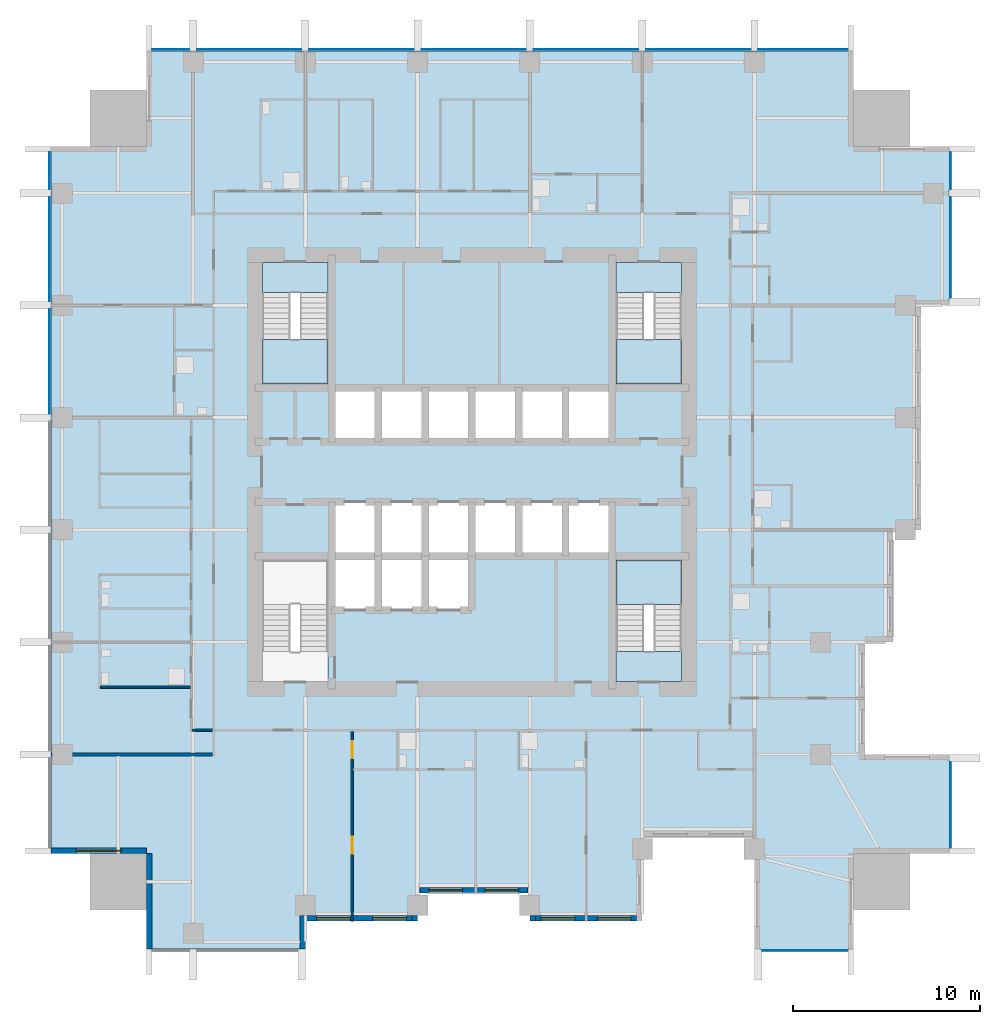
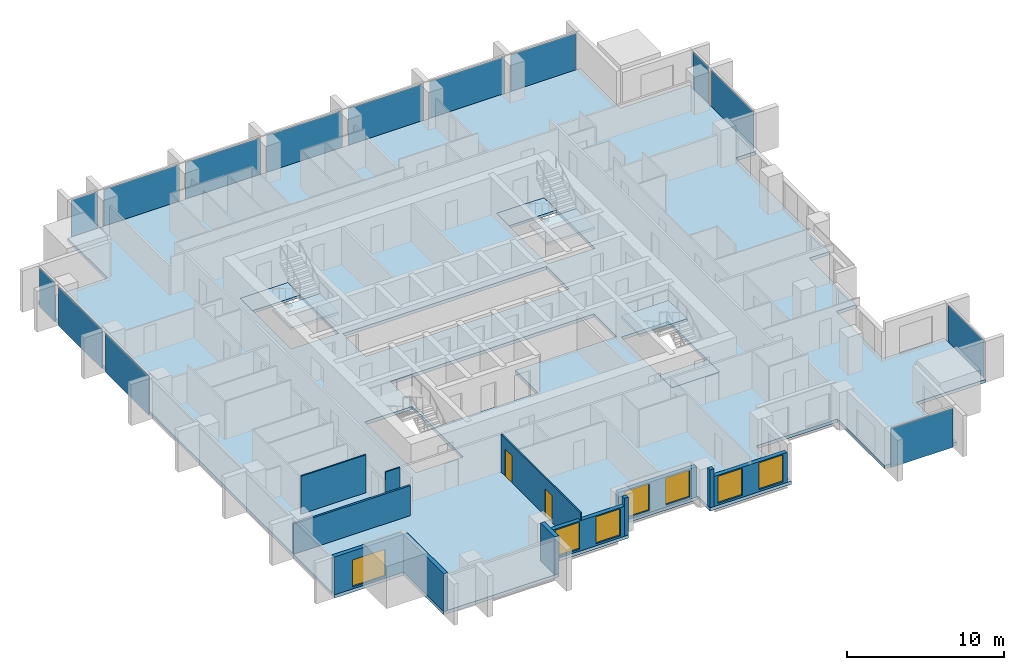
# One storey, part 3 of 10: 14 plates, 12 walls, 7 slabs, 7 windows, 2 doors, 9 openings, 8 elements without a shape of their own.
"""IFC4 building model written with IfcOpenShell, lengths in metres."""

from ifc_helpers import new_model, si_unit, direction, frame, frame_2d, origin, origin_2d, place, context, subcontext, project, spatial, polyline, rectangle, outline, extrude, material, layer, layer_set, type_object, element, fill, aggregate, save


model = new_model("IFC4")

# Units and contexts
model_context = context("Model", 3, precision=1e-05, world=origin(), true_north=direction((0.0, 1.0)))
body_context = subcontext(model_context, "Body", "Model", "MODEL_VIEW")
ifc_project = project(units=[si_unit("LENGTHUNIT", "METRE"), si_unit("AREAUNIT", "SQUARE_METRE"), si_unit("VOLUMEUNIT", "CUBIC_METRE"), si_unit("PLANEANGLEUNIT", "RADIAN"), si_unit("MASSUNIT", "GRAM", prefix="KILO")], contexts=[model_context])

# Site, building, storey
site_placement = place(None, origin())
site = spatial("IfcSite", under=ifc_project, at=site_placement, CompositionType="ELEMENT")
building_placement = place(site_placement, origin())
building = spatial("IfcBuilding", under=site, at=building_placement, Name="Amberfall Residences", CompositionType="ELEMENT")
storey_placement = place(building_placement, frame((0.0, 0.0, 121.60009765625)))
storey = spatial("IfcBuildingStorey", under=building, at=storey_placement, Name="L33", CompositionType="ELEMENT", Elevation=121.60009765625)

# Curtain wall, plate
ifc_material_1 = material(Name="Bronze anodised aluminium and glass", Category="aluminium")
curtain_wall_type = type_object("IfcCurtainWallType", Name="Curtain wall CW1 tower unit", PredefinedType="USERDEFINED", material=ifc_material_1)
curtain_wall_1_placement = place(storey_placement, origin())
curtain_wall_1 = element("IfcCurtainWall", 1, at=curtain_wall_1_placement, inside=storey, type_object=curtain_wall_type, Name="Curtain wall L33 S S11", ObjectType="UNITISED CURTAIN WALL", PredefinedType="USERDEFINED")
ifc_material_2 = material(Name="Tinted double glazed unit", Category="glass")
ifc_layer_1 = layer(ifc_material_2, 0.035888671875)
ifc_layer_set_1 = layer_set([ifc_layer_1], Name="CW1 panel 36 glazing")
plate_type = type_object("IfcPlateType", Name="CW1 panel 36 glazing", PredefinedType="CURTAIN_PANEL", material=ifc_layer_set_1)
plate_1_placement = place(storey_placement, frame((92.300048828125, 19.925048828125, -0.25), z_axis=(0.0, 0.0, 1.0), x_axis=(1.0, 0.0, 0.0)))
plate_1 = element("IfcPlate", 2, at=plate_1_placement, type_object=plate_type, Name="CW1 panel 1.1", PredefinedType="CURTAIN_PANEL", context=body_context, shape_type="SweptSolid", body=[
    extrude(rectangle(XDim=4.575927734375, YDim=0.035888671875, at=origin_2d()), origin(), (0.0, 0.0, 1.0), 3.050048828125),
])
aggregate(curtain_wall_1, [plate_1])

curtain_wall_2_placement = place(storey_placement, origin())
curtain_wall_2 = element("IfcCurtainWall", 3, at=curtain_wall_2_placement, inside=storey, type_object=curtain_wall_type, Name="Curtain wall L33 E E1", ObjectType="UNITISED CURTAIN WALL", PredefinedType="USERDEFINED")
plate_2_placement = place(storey_placement, frame((100.074951171875, 27.699951171875, -0.25), z_axis=(0.0, 0.0, 1.0), x_axis=(0.0, 1.0, 0.0)))
plate_2 = element("IfcPlate", 4, at=plate_2_placement, type_object=plate_type, Name="CW1 panel 1.1", PredefinedType="CURTAIN_PANEL", context=body_context, shape_type="SweptSolid", body=[
    extrude(rectangle(XDim=4.575927734375, YDim=0.035888671875, at=origin_2d()), origin(), (0.0, 0.0, 1.0), 3.050048828125),
])
aggregate(curtain_wall_2, [plate_2])

# Curtain wall, plates
curtain_wall_3_placement = place(storey_placement, origin())
curtain_wall_3 = element("IfcCurtainWall", 5, at=curtain_wall_3_placement, inside=storey, type_object=curtain_wall_type, Name="Curtain wall L33 E E10", ObjectType="UNITISED CURTAIN WALL", PredefinedType="USERDEFINED")
plate_3_placement = place(storey_placement, frame((100.074951171875, 57.5, -0.25), z_axis=(0.0, 0.0, 1.0), x_axis=(0.0, 1.0, 0.0)))
plate_3 = element("IfcPlate", 6, at=plate_3_placement, type_object=plate_type, Name="CW1 panel 1.1", PredefinedType="CURTAIN_PANEL", context=body_context, shape_type="SweptSolid", body=[
    extrude(rectangle(XDim=5.3759765625, YDim=0.035888671875, at=origin_2d()), origin(), (0.0, 0.0, 1.0), 3.050048828125),
])
plate_4_placement = place(storey_placement, frame((100.074951171875, 61.60009765625, -0.25), z_axis=(0.0, 0.0, 1.0), x_axis=(0.0, 1.0, 0.0)))
plate_4 = element("IfcPlate", 7, at=plate_4_placement, type_object=plate_type, Name="CW1 panel 2.1", PredefinedType="CURTAIN_PANEL", context=body_context, shape_type="SweptSolid", body=[
    extrude(rectangle(XDim=1.97607421875, YDim=0.035888671875, at=origin_2d()), origin(), (0.0, 0.0, 1.0), 3.050048828125),
])
aggregate(curtain_wall_3, [plate_3, plate_4])

curtain_wall_4_placement = place(storey_placement, origin())
curtain_wall_4 = element("IfcCurtainWall", 8, at=curtain_wall_4_placement, inside=storey, type_object=curtain_wall_type, Name="Curtain wall L33 N N1", ObjectType="UNITISED CURTAIN WALL", PredefinedType="USERDEFINED")
plate_5_placement = place(storey_placement, frame((92.199951171875, 68.074951171875, -0.25), z_axis=(0.0, 0.0, 1.0), x_axis=(-1.0, 0.0, 0.0)))
plate_5 = element("IfcPlate", 9, at=plate_5_placement, type_object=plate_type, Name="CW1 panel 1.1", PredefinedType="CURTAIN_PANEL", context=body_context, shape_type="SweptSolid", body=[
    extrude(rectangle(XDim=4.77587890625, YDim=0.035888671875, at=origin_2d()), origin(), (0.0, 0.0, 1.0), 3.050048828125),
])
plate_6_placement = place(storey_placement, frame((86.60009765625, 68.074951171875, -0.25), z_axis=(0.0, 0.0, 1.0), x_axis=(-1.0, 0.0, 0.0)))
plate_6 = element("IfcPlate", 10, at=plate_6_placement, type_object=plate_type, Name="CW1 panel 2.1", PredefinedType="CURTAIN_PANEL", context=body_context, shape_type="SweptSolid", body=[
    extrude(rectangle(XDim=5.575927734375, YDim=0.035888671875, at=origin_2d()), origin(), (0.0, 0.0, 1.0), 3.050048828125),
])
plate_7_placement = place(storey_placement, frame((80.60009765625, 68.074951171875, -0.25), z_axis=(0.0, 0.0, 1.0), x_axis=(-1.0, 0.0, 0.0)))
plate_7 = element("IfcPlate", 11, at=plate_7_placement, type_object=plate_type, Name="CW1 panel 3.1", PredefinedType="CURTAIN_PANEL", context=body_context, shape_type="SweptSolid", body=[
    extrude(rectangle(XDim=5.575927734375, YDim=0.035888671875, at=origin_2d()), origin(), (0.0, 0.0, 1.0), 3.050048828125),
])
plate_8_placement = place(storey_placement, frame((74.60009765625, 68.074951171875, -0.25), z_axis=(0.0, 0.0, 1.0), x_axis=(-1.0, 0.0, 0.0)))
plate_8 = element("IfcPlate", 12, at=plate_8_placement, type_object=plate_type, Name="CW1 panel 4.1", PredefinedType="CURTAIN_PANEL", context=body_context, shape_type="SweptSolid", body=[
    extrude(rectangle(XDim=5.575927734375, YDim=0.035888671875, at=origin_2d()), origin(), (0.0, 0.0, 1.0), 3.050048828125),
])
plate_9_placement = place(storey_placement, frame((68.60009765625, 68.074951171875, -0.25), z_axis=(0.0, 0.0, 1.0), x_axis=(-1.0, 0.0, 0.0)))
plate_9 = element("IfcPlate", 13, at=plate_9_placement, type_object=plate_type, Name="CW1 panel 5.1", PredefinedType="CURTAIN_PANEL", context=body_context, shape_type="SweptSolid", body=[
    extrude(rectangle(XDim=5.575927734375, YDim=0.035888671875, at=origin_2d()), origin(), (0.0, 0.0, 1.0), 3.050048828125),
])
plate_10_placement = place(storey_placement, frame((62.60009765625, 68.074951171875, -0.25), z_axis=(0.0, 0.0, 1.0), x_axis=(-1.0, 0.0, 0.0)))
plate_10 = element("IfcPlate", 14, at=plate_10_placement, type_object=plate_type, Name="CW1 panel 6.1", PredefinedType="CURTAIN_PANEL", context=body_context, shape_type="SweptSolid", body=[
    extrude(rectangle(XDim=5.575927734375, YDim=0.035888671875, at=origin_2d()), origin(), (0.0, 0.0, 1.0), 3.050048828125),
])
plate_11_placement = place(storey_placement, frame((58.39990234375, 68.074951171875, -0.25), z_axis=(0.0, 0.0, 1.0), x_axis=(-1.0, 0.0, 0.0)))
plate_11 = element("IfcPlate", 15, at=plate_11_placement, type_object=plate_type, Name="CW1 panel 7.1", PredefinedType="CURTAIN_PANEL", context=body_context, shape_type="SweptSolid", body=[
    extrude(rectangle(XDim=1.97607421875, YDim=0.035888671875, at=origin_2d()), origin(), (0.0, 0.0, 1.0), 3.050048828125),
])
aggregate(curtain_wall_4, [plate_5, plate_6, plate_7, plate_8, plate_9, plate_10, plate_11])

curtain_wall_5_placement = place(storey_placement, origin())
curtain_wall_5 = element("IfcCurtainWall", 16, at=curtain_wall_5_placement, inside=storey, type_object=curtain_wall_type, Name="Curtain wall L33 W W1", ObjectType="UNITISED CURTAIN WALL", PredefinedType="USERDEFINED")
plate_12_placement = place(storey_placement, frame((51.925048828125, 61.60009765625, -0.25), z_axis=(0.0, 0.0, 1.0), x_axis=(0.0, -1.0, 0.0)))
plate_12 = element("IfcPlate", 17, at=plate_12_placement, type_object=plate_type, Name="CW1 panel 1.1", PredefinedType="CURTAIN_PANEL", context=body_context, shape_type="SweptSolid", body=[
    extrude(rectangle(XDim=1.97607421875, YDim=0.035888671875, at=origin_2d()), origin(), (0.0, 0.0, 1.0), 3.050048828125),
])
plate_13_placement = place(storey_placement, frame((51.925048828125, 57.39990234375, -0.25), z_axis=(0.0, 0.0, 1.0), x_axis=(0.0, -1.0, 0.0)))
plate_13 = element("IfcPlate", 18, at=plate_13_placement, type_object=plate_type, Name="CW1 panel 2.1", PredefinedType="CURTAIN_PANEL", context=body_context, shape_type="SweptSolid", body=[
    extrude(rectangle(XDim=5.575927734375, YDim=0.035888671875, at=origin_2d()), origin(), (0.0, 0.0, 1.0), 3.050048828125),
])
plate_14_placement = place(storey_placement, frame((51.925048828125, 51.39990234375, -0.25), z_axis=(0.0, 0.0, 1.0), x_axis=(0.0, -1.0, 0.0)))
plate_14 = element("IfcPlate", 19, at=plate_14_placement, type_object=plate_type, Name="CW1 panel 3.1", PredefinedType="CURTAIN_PANEL", context=body_context, shape_type="SweptSolid", body=[
    extrude(rectangle(XDim=5.575927734375, YDim=0.035888671875, at=origin_2d()), origin(), (0.0, 0.0, 1.0), 3.050048828125),
])
aggregate(curtain_wall_5, [plate_12, plate_13, plate_14])

# Slab
ifc_material_3 = material(Name="Concrete C70", Category="concrete")
ifc_layer_2 = layer(ifc_material_3, 0.25)
ifc_layer_set_2 = layer_set([ifc_layer_2], Name="Floor slab 250 C70")
slab_type_1 = type_object("IfcSlabType", Name="Floor slab 250 C70", PredefinedType="FLOOR", material=ifc_layer_set_2)
slab_1_placement = place(storey_placement, frame((0.0, 0.0, -0.25)))
element("IfcSlab", 20, at=slab_1_placement, inside=storey, type_object=slab_type_1, Name="Floor slab S7 L33", PredefinedType="FLOOR", context=body_context, shape_type="SweptSolid", body=[
    extrude(outline(polyline([(89.60009765625, 20.0), (89.60009765625, 26.0), (83.60009765625, 26.0), (83.60009765625, 21.5), (77.60009765625, 21.5), (77.60009765625, 23.0), (71.60009765625, 23.0), (71.60009765625, 21.5), (65.60009765625, 21.5), (65.60009765625, 20.0), (57.10009765625, 20.0), (57.10009765625, 25.10009765625), (52.0, 25.10009765625), (52.0, 62.89990234375), (57.10009765625, 62.89990234375), (57.10009765625, 68.0), (94.89990234375, 68.0), (94.89990234375, 62.89990234375), (100.0, 62.89990234375), (100.0, 54.39990234375), (98.5, 54.39990234375), (98.5, 48.39990234375), (98.5, 42.39990234375), (97.0, 42.39990234375), (97.0, 36.39990234375), (95.5, 36.39990234375), (95.5, 30.39990234375), (100.0, 30.39990234375), (100.0, 25.10009765625), (94.89990234375, 25.10009765625), (94.89990234375, 20.0), (89.60009765625, 20.0)]), holes=[polyline([(85.699951171875, 34.300048828125), (85.699951171875, 40.800048828125), (82.199951171875, 40.800048828125), (82.199951171875, 34.300048828125), (85.699951171875, 34.300048828125)]), polyline([(82.199951171875, 50.199951171875), (85.699951171875, 50.199951171875), (85.699951171875, 56.699951171875), (82.199951171875, 56.699951171875), (82.199951171875, 50.199951171875)]), polyline([(69.5, 50.0), (67.0, 50.0), (67.0, 47.10009765625), (69.5, 47.10009765625), (72.0, 47.10009765625), (74.5, 47.10009765625), (77.0, 47.10009765625), (79.5, 47.10009765625), (82.0, 47.10009765625), (82.0, 50.0), (79.5, 50.0), (77.0, 50.0), (74.5, 50.0), (72.0, 50.0), (69.5, 50.0)]), polyline([(74.5, 41.0), (77.0, 41.0), (79.5, 41.0), (82.0, 41.0), (82.0, 43.89990234375), (79.5, 43.89990234375), (77.0, 43.89990234375), (74.5, 43.89990234375), (72.0, 43.89990234375), (69.5, 43.89990234375), (67.0, 43.89990234375), (67.0, 41.0), (67.0, 38.10009765625), (69.5, 38.10009765625), (72.0, 38.10009765625), (74.5, 38.10009765625), (74.5, 41.0)]), polyline([(66.800048828125, 34.300048828125), (66.800048828125, 40.800048828125), (63.300048828125, 40.800048828125), (63.300048828125, 34.300048828125), (66.800048828125, 34.300048828125)]), polyline([(66.800048828125, 50.199951171875), (66.800048828125, 56.699951171875), (63.300048828125, 56.699951171875), (63.300048828125, 50.199951171875), (66.800048828125, 50.199951171875)])]), origin(), (0.0, 0.0, 1.0), 0.25),
])

# Stair, slabs
ifc_material_4 = material(Name="Concrete C40", Category="concrete")
stair_type = type_object("IfcStairType", Name="Exit stair 20 risers 165.0 mm", PredefinedType="HALF_TURN_STAIR", material=ifc_material_4)
stair_1_placement = place(storey_placement, origin())
stair_1 = element("IfcStair", 21, at=stair_1_placement, inside=storey, type_object=stair_type, Name="L33 Exit stair 2", PredefinedType="HALF_TURN_STAIR")
ifc_layer_3 = layer(ifc_material_4, 0.199951171875)
ifc_layer_set_3 = layer_set([ifc_layer_3], Name="Stair landing 200")
slab_type_2 = type_object("IfcSlabType", Name="Stair landing 200", PredefinedType="LANDING", material=ifc_layer_set_3)
slab_2_placement = place(storey_placement, frame((0.0, 0.0, 1.449951171875)))
slab_2 = element("IfcSlab", 22, at=slab_2_placement, type_object=slab_type_2, Name="ST3 landing 1", PredefinedType="LANDING", context=body_context, shape_type="SweptSolid", body=[
    extrude(outline(polyline([(85.699951171875, 38.419921875), (85.699951171875, 40.800048828125), (82.199951171875, 40.800048828125), (82.199951171875, 38.419921875), (85.699951171875, 38.419921875)])), origin(), (0.0, 0.0, 1.0), 0.199951171875),
])
slab_3_placement = place(storey_placement, frame((0.0, 0.0, -0.2001953125)))
slab_3 = element("IfcSlab", 23, at=slab_3_placement, type_object=slab_type_2, Name="ST3 landing 2", PredefinedType="LANDING", context=body_context, shape_type="SweptSolid", body=[
    extrude(outline(polyline([(85.699951171875, 34.300048828125), (85.699951171875, 35.89990234375), (82.199951171875, 35.89990234375), (82.199951171875, 34.300048828125), (85.699951171875, 34.300048828125)])), origin(), (0.0, 0.0, 1.0), 0.2001953125),
])
aggregate(stair_1, [slab_2, slab_3])

stair_2_placement = place(storey_placement, origin())
stair_2 = element("IfcStair", 24, at=stair_2_placement, inside=storey, type_object=stair_type, Name="L33 Exit stair 3", PredefinedType="HALF_TURN_STAIR")
slab_4_placement = place(storey_placement, frame((0.0, 0.0, 1.449951171875)))
slab_4 = element("IfcSlab", 25, at=slab_4_placement, type_object=slab_type_2, Name="ST3 landing 1", PredefinedType="LANDING", context=body_context, shape_type="SweptSolid", body=[
    extrude(outline(polyline([(82.199951171875, 52.580078125), (82.199951171875, 50.199951171875), (85.699951171875, 50.199951171875), (85.699951171875, 52.580078125), (82.199951171875, 52.580078125)])), origin(), (0.0, 0.0, 1.0), 0.199951171875),
])
slab_5_placement = place(storey_placement, frame((0.0, 0.0, -0.2001953125)))
slab_5 = element("IfcSlab", 26, at=slab_5_placement, type_object=slab_type_2, Name="ST3 landing 2", PredefinedType="LANDING", context=body_context, shape_type="SweptSolid", body=[
    extrude(outline(polyline([(82.199951171875, 56.699951171875), (82.199951171875, 55.10009765625), (85.699951171875, 55.10009765625), (85.699951171875, 56.699951171875), (82.199951171875, 56.699951171875)])), origin(), (0.0, 0.0, 1.0), 0.2001953125),
])
aggregate(stair_2, [slab_4, slab_5])

stair_3_placement = place(storey_placement, origin())
stair_3 = element("IfcStair", 27, at=stair_3_placement, inside=storey, type_object=stair_type, Name="L33 Exit stair 4", PredefinedType="HALF_TURN_STAIR")
slab_6_placement = place(storey_placement, frame((0.0, 0.0, 1.449951171875)))
slab_6 = element("IfcSlab", 28, at=slab_6_placement, type_object=slab_type_2, Name="ST3 landing 1", PredefinedType="LANDING", context=body_context, shape_type="SweptSolid", body=[
    extrude(outline(polyline([(63.300048828125, 52.580078125), (63.300048828125, 50.199951171875), (66.800048828125, 50.199951171875), (66.800048828125, 52.580078125), (63.300048828125, 52.580078125)])), origin(), (0.0, 0.0, 1.0), 0.199951171875),
])
slab_7_placement = place(storey_placement, frame((0.0, 0.0, -0.2001953125)))
slab_7 = element("IfcSlab", 29, at=slab_7_placement, type_object=slab_type_2, Name="ST3 landing 2", PredefinedType="LANDING", context=body_context, shape_type="SweptSolid", body=[
    extrude(outline(polyline([(63.300048828125, 56.699951171875), (63.300048828125, 55.10009765625), (66.800048828125, 55.10009765625), (66.800048828125, 56.699951171875), (63.300048828125, 56.699951171875)])), origin(), (0.0, 0.0, 1.0), 0.2001953125),
])
aggregate(stair_3, [slab_6, slab_7])

# Walls
ifc_material_5 = material(Name="Pale stone cladding on insulated backing", Category="masonry")
ifc_layer_4 = layer(ifc_material_5, 0.300048828125)
ifc_layer_set_4 = layer_set([ifc_layer_4], Name="Bronze clad wall 300")
wall_type_1 = type_object("IfcWallType", Name="Bronze clad wall 300", PredefinedType="SOLIDWALL", material=ifc_layer_set_4)
wall_1_placement = place(storey_placement, frame((65.449951171875, 20.0, 0.0), z_axis=(0.0, 0.0, 1.0), x_axis=(0.0, 1.0, 0.0)))
element("IfcWall", 30, at=wall_1_placement, inside=storey, type_object=wall_type_1, Name="External wall L33 S", PredefinedType="SOLIDWALL", context=body_context, shape_type="SweptSolid", body=[
    extrude(rectangle(XDim=1.800048828125, YDim=0.300048828125, at=frame_2d((0.89990234375, 0.0))), origin(), (0.0, 0.0, 1.0), 2.949951171875),
])
for number, where, z_axis, x_axis, name in (
    (31, (71.449951171875, 21.5, 0.0), (0.0, 0.0, 1.0), (0.0, 1.0, 0.0), "External wall L33 S"),
    (32, (77.75, 21.800048828125, 0.0), (0.0, 0.0, 1.0), (0.0, -1.0, 0.0), "External wall L33 S"),
):
    element("IfcWall", number, at=place(storey_placement, frame(where, z_axis=z_axis, x_axis=x_axis)), inside=storey, type_object=wall_type_1, Name=name, PredefinedType="SOLIDWALL", context=body_context, shape_type="SweptSolid", body=[
        extrude(rectangle(XDim=0.300048828125, YDim=0.300048828125, at=frame_2d((0.14990234375, 0.0))), origin(), (0.0, 0.0, 1.0), 2.949951171875),
    ])

# Wall, opening, window
wall_2_placement = place(storey_placement, frame((52.0, 25.25, 0.0), z_axis=(0.0, 0.0, 1.0), x_axis=(1.0, 0.0, 0.0)))
wall_2 = element("IfcWall", 33, at=wall_2_placement, inside=storey, type_object=wall_type_1, Name="External wall L33 SW", PredefinedType="SOLIDWALL", context=body_context, shape_type="SweptSolid", body=[
    extrude(rectangle(XDim=5.10009765625, YDim=0.300048828125, at=frame_2d((2.550048828125, 0.0))), origin(), (0.0, 0.0, 1.0), 2.949951171875),
])
opening_1_placement = place(wall_2_placement, frame((1.35009765625, 0.0, 0.14990234375)))
opening_1 = element("IfcOpeningElement", 34, at=opening_1_placement, cuts=wall_2, Name="Opening WN5", PredefinedType="OPENING", context=body_context, shape_type="SweptSolid", body=[
    extrude(rectangle(XDim=2.39990234375, YDim=2.10009765625, at=frame_2d((1.199951171875, 1.050048828125))), frame((0.0, 0.159912109375, 0.0), z_axis=(0.0, -1.0, 0.0), x_axis=(1.0, 0.0, 0.0)), (0.0, 0.0, 1.0), 0.320068359375),
])
ifc_material_6 = material(Name="Bronze aluminium framed glazing", Category="aluminium")
window_type_1 = type_object("IfcWindowType", Name="Glazed opening 2400 x 2100 bronze", PartitioningType="DOUBLE_PANEL_VERTICAL", PredefinedType="WINDOW", material=ifc_material_6)
window_1_placement = place(opening_1_placement, origin())
window_1 = element("IfcWindow", 35, at=window_1_placement, inside=storey, type_object=window_type_1, Name="Window L33 SW", OverallHeight=2.10009765625, OverallWidth=2.39990234375, PartitioningType="DOUBLE_PANEL_VERTICAL", PredefinedType="WINDOW", context=body_context, shape_type="SweptSolid", body=[
    extrude(rectangle(XDim=2.39990234375, YDim=2.10009765625, at=frame_2d((1.199951171875, 1.050048828125))), frame((0.0, 0.030029296875, 0.0), z_axis=(0.0, -1.0, 0.0), x_axis=(1.0, 0.0, 0.0)), (0.0, 0.0, 1.0), 0.06005859375),
])
fill(opening_1, window_1)

# Wall
wall_3_placement = place(storey_placement, frame((57.25, 25.10009765625, 0.0), z_axis=(0.0, 0.0, 1.0), x_axis=(0.0, -1.0, 0.0)))
element("IfcWall", 36, at=wall_3_placement, inside=storey, type_object=wall_type_1, Name="External wall L33 SW", PredefinedType="SOLIDWALL", context=body_context, shape_type="SweptSolid", body=[
    extrude(rectangle(XDim=5.10009765625, YDim=0.300048828125, at=frame_2d((2.550048828125, 0.0))), origin(), (0.0, 0.0, 1.0), 2.949951171875),
])

# Wall, openings, windows
wall_4_placement = place(storey_placement, frame((65.60009765625, 21.64990234375, 0.0), z_axis=(0.0, 0.0, 1.0), x_axis=(1.0, 0.0, 0.0)))
wall_4 = element("IfcWall", 37, at=wall_4_placement, inside=storey, type_object=wall_type_1, Name="Stone wall L33 S", PredefinedType="SOLIDWALL", context=body_context, shape_type="SweptSolid", body=[
    extrude(rectangle(XDim=5.699951171875, YDim=0.300048828125, at=frame_2d((2.85009765625, 0.0))), origin(), (0.0, 0.0, 1.0), 2.34033203125),
])
opening_2_placement = place(wall_4_placement, frame((0.60009765625, 0.0, 0.14990234375)))
opening_2 = element("IfcOpeningElement", 38, at=opening_2_placement, cuts=wall_4, Name="Opening WN6", PredefinedType="OPENING", context=body_context, shape_type="SweptSolid", body=[
    extrude(rectangle(XDim=1.800048828125, YDim=2.10009765625, at=frame_2d((0.89990234375, 1.050048828125))), frame((0.0, 0.159912109375, 0.0), z_axis=(0.0, -1.0, 0.0), x_axis=(1.0, 0.0, 0.0)), (0.0, 0.0, 1.0), 0.320068359375),
])
opening_3_placement = place(wall_4_placement, frame((3.60009765625, 0.0, 0.14990234375)))
opening_3 = element("IfcOpeningElement", 39, at=opening_3_placement, cuts=wall_4, Name="Opening WN6", PredefinedType="OPENING", context=body_context, shape_type="SweptSolid", body=[
    extrude(rectangle(XDim=1.800048828125, YDim=2.10009765625, at=frame_2d((0.89990234375, 1.050048828125))), frame((0.0, 0.159912109375, 0.0), z_axis=(0.0, -1.0, 0.0), x_axis=(1.0, 0.0, 0.0)), (0.0, 0.0, 1.0), 0.320068359375),
])
window_type_2 = type_object("IfcWindowType", Name="Glazed opening 1800 x 2100 bronze", PartitioningType="DOUBLE_PANEL_VERTICAL", PredefinedType="WINDOW", material=ifc_material_6)
window_2_placement = place(opening_2_placement, origin())
window_2 = element("IfcWindow", 40, at=window_2_placement, inside=storey, type_object=window_type_2, Name="Window L33 S", OverallHeight=2.10009765625, OverallWidth=1.800048828125, PartitioningType="DOUBLE_PANEL_VERTICAL", PredefinedType="WINDOW", context=body_context, shape_type="SweptSolid", body=[
    extrude(rectangle(XDim=1.800048828125, YDim=2.10009765625, at=frame_2d((0.89990234375, 1.050048828125))), frame((0.0, 0.030029296875, 0.0), z_axis=(0.0, -1.0, 0.0), x_axis=(1.0, 0.0, 0.0)), (0.0, 0.0, 1.0), 0.06005859375),
])
fill(opening_2, window_2)
window_3_placement = place(opening_3_placement, origin())
window_3 = element("IfcWindow", 41, at=window_3_placement, inside=storey, type_object=window_type_2, Name="Window L33 S", OverallHeight=2.10009765625, OverallWidth=1.800048828125, PartitioningType="DOUBLE_PANEL_VERTICAL", PredefinedType="WINDOW", context=body_context, shape_type="SweptSolid", body=[
    extrude(rectangle(XDim=1.800048828125, YDim=2.10009765625, at=frame_2d((0.89990234375, 1.050048828125))), frame((0.0, 0.030029296875, 0.0), z_axis=(0.0, -1.0, 0.0), x_axis=(1.0, 0.0, 0.0)), (0.0, 0.0, 1.0), 0.06005859375),
])
fill(opening_3, window_3)

wall_5_placement = place(storey_placement, frame((71.719970703125, 23.14990234375, 0.0), z_axis=(0.0, 0.0, 1.0), x_axis=(1.0, 0.0, 0.0)))
wall_5 = element("IfcWall", 42, at=wall_5_placement, inside=storey, type_object=wall_type_1, Name="Stone wall L33 S", PredefinedType="SOLIDWALL", context=body_context, shape_type="SweptSolid", body=[
    extrude(rectangle(XDim=5.760009765625, YDim=0.300048828125, at=frame_2d((2.8798828125, 0.0))), origin(), (0.0, 0.0, 1.0), 2.34033203125),
])
opening_4_placement = place(wall_5_placement, frame((0.47998046875, 0.0, 0.14990234375)))
opening_4 = element("IfcOpeningElement", 43, at=opening_4_placement, cuts=wall_5, Name="Opening WN6", PredefinedType="OPENING", context=body_context, shape_type="SweptSolid", body=[
    extrude(rectangle(XDim=1.800048828125, YDim=2.10009765625, at=frame_2d((0.89990234375, 1.050048828125))), frame((0.0, 0.159912109375, 0.0), z_axis=(0.0, -1.0, 0.0), x_axis=(1.0, 0.0, 0.0)), (0.0, 0.0, 1.0), 0.320068359375),
])
opening_5_placement = place(wall_5_placement, frame((3.47998046875, 0.0, 0.14990234375)))
opening_5 = element("IfcOpeningElement", 44, at=opening_5_placement, cuts=wall_5, Name="Opening WN6", PredefinedType="OPENING", context=body_context, shape_type="SweptSolid", body=[
    extrude(rectangle(XDim=1.800048828125, YDim=2.10009765625, at=frame_2d((0.89990234375, 1.050048828125))), frame((0.0, 0.159912109375, 0.0), z_axis=(0.0, -1.0, 0.0), x_axis=(1.0, 0.0, 0.0)), (0.0, 0.0, 1.0), 0.320068359375),
])
window_4_placement = place(opening_4_placement, origin())
window_4 = element("IfcWindow", 45, at=window_4_placement, inside=storey, type_object=window_type_2, Name="Window L33 S", OverallHeight=2.10009765625, OverallWidth=1.800048828125, PartitioningType="DOUBLE_PANEL_VERTICAL", PredefinedType="WINDOW", context=body_context, shape_type="SweptSolid", body=[
    extrude(rectangle(XDim=1.800048828125, YDim=2.10009765625, at=frame_2d((0.89990234375, 1.050048828125))), frame((0.0, 0.030029296875, 0.0), z_axis=(0.0, -1.0, 0.0), x_axis=(1.0, 0.0, 0.0)), (0.0, 0.0, 1.0), 0.06005859375),
])
fill(opening_4, window_4)
window_5_placement = place(opening_5_placement, origin())
window_5 = element("IfcWindow", 46, at=window_5_placement, inside=storey, type_object=window_type_2, Name="Window L33 S", OverallHeight=2.10009765625, OverallWidth=1.800048828125, PartitioningType="DOUBLE_PANEL_VERTICAL", PredefinedType="WINDOW", context=body_context, shape_type="SweptSolid", body=[
    extrude(rectangle(XDim=1.800048828125, YDim=2.10009765625, at=frame_2d((0.89990234375, 1.050048828125))), frame((0.0, 0.030029296875, 0.0), z_axis=(0.0, -1.0, 0.0), x_axis=(1.0, 0.0, 0.0)), (0.0, 0.0, 1.0), 0.06005859375),
])
fill(opening_5, window_5)

wall_6_placement = place(storey_placement, frame((77.89990234375, 21.64990234375, 0.0), z_axis=(0.0, 0.0, 1.0), x_axis=(1.0, 0.0, 0.0)))
wall_6 = element("IfcWall", 47, at=wall_6_placement, inside=storey, type_object=wall_type_1, Name="Stone wall L33 S", PredefinedType="SOLIDWALL", context=body_context, shape_type="SweptSolid", body=[
    extrude(rectangle(XDim=5.400146484375, YDim=0.300048828125, at=frame_2d((2.7001953125, 0.0))), origin(), (0.0, 0.0, 1.0), 2.34033203125),
])
opening_6_placement = place(wall_6_placement, frame((0.300048828125, 0.0, 0.14990234375)))
opening_6 = element("IfcOpeningElement", 48, at=opening_6_placement, cuts=wall_6, Name="Opening WN6", PredefinedType="OPENING", context=body_context, shape_type="SweptSolid", body=[
    extrude(rectangle(XDim=1.800048828125, YDim=2.10009765625, at=frame_2d((0.89990234375, 1.050048828125))), frame((0.0, 0.159912109375, 0.0), z_axis=(0.0, -1.0, 0.0), x_axis=(1.0, 0.0, 0.0)), (0.0, 0.0, 1.0), 0.320068359375),
])
opening_7_placement = place(wall_6_placement, frame((3.300048828125, 0.0, 0.14990234375)))
opening_7 = element("IfcOpeningElement", 49, at=opening_7_placement, cuts=wall_6, Name="Opening WN6", PredefinedType="OPENING", context=body_context, shape_type="SweptSolid", body=[
    extrude(rectangle(XDim=1.800048828125, YDim=2.10009765625, at=frame_2d((0.89990234375, 1.050048828125))), frame((0.0, 0.159912109375, 0.0), z_axis=(0.0, -1.0, 0.0), x_axis=(1.0, 0.0, 0.0)), (0.0, 0.0, 1.0), 0.320068359375),
])
window_6_placement = place(opening_6_placement, origin())
window_6 = element("IfcWindow", 50, at=window_6_placement, inside=storey, type_object=window_type_2, Name="Window L33 S", OverallHeight=2.10009765625, OverallWidth=1.800048828125, PartitioningType="DOUBLE_PANEL_VERTICAL", PredefinedType="WINDOW", context=body_context, shape_type="SweptSolid", body=[
    extrude(rectangle(XDim=1.800048828125, YDim=2.10009765625, at=frame_2d((0.89990234375, 1.050048828125))), frame((0.0, 0.030029296875, 0.0), z_axis=(0.0, -1.0, 0.0), x_axis=(1.0, 0.0, 0.0)), (0.0, 0.0, 1.0), 0.06005859375),
])
fill(opening_6, window_6)
window_7_placement = place(opening_7_placement, origin())
window_7 = element("IfcWindow", 51, at=window_7_placement, inside=storey, type_object=window_type_2, Name="Window L33 S", OverallHeight=2.10009765625, OverallWidth=1.800048828125, PartitioningType="DOUBLE_PANEL_VERTICAL", PredefinedType="WINDOW", context=body_context, shape_type="SweptSolid", body=[
    extrude(rectangle(XDim=1.800048828125, YDim=2.10009765625, at=frame_2d((0.89990234375, 1.050048828125))), frame((0.0, 0.030029296875, 0.0), z_axis=(0.0, -1.0, 0.0), x_axis=(1.0, 0.0, 0.0)), (0.0, 0.0, 1.0), 0.06005859375),
])
fill(opening_7, window_7)

# Wall, openings, doors
ifc_material_7 = material(Name="Gypsum board on metal stud")
ifc_layer_5 = layer(ifc_material_7, 0.10009765625)
ifc_layer_set_5 = layer_set([ifc_layer_5], Name="Flat partition 100")
wall_type_2 = type_object("IfcWallType", Name="Flat partition 100", PredefinedType="PARTITIONING", material=ifc_layer_set_5)
wall_7_placement = place(storey_placement, frame((68.10009765625, 31.625, 0.0), z_axis=(0.0, 0.0, 1.0), x_axis=(0.0, -1.0, 0.0)))
wall_7 = element("IfcWall", 52, at=wall_7_placement, inside=storey, type_object=wall_type_2, Name="Partition 009", PredefinedType="PARTITIONING", context=body_context, shape_type="SweptSolid", body=[
    extrude(rectangle(XDim=10.125, YDim=0.10009765625, at=frame_2d((5.0625, 0.0))), origin(), (0.0, 0.0, 1.0), 2.949951171875),
])
opening_8_placement = place(wall_7_placement, frame((0.52490234375, 0.0, 0.0)))
opening_8 = element("IfcOpeningElement", 53, at=opening_8_placement, cuts=wall_7, Name="Opening D41", PredefinedType="OPENING", context=body_context, shape_type="SweptSolid", body=[
    extrude(rectangle(XDim=0.89990234375, YDim=2.10009765625, at=frame_2d((0.449951171875, 1.050048828125))), frame((0.0, 0.06005859375, 0.0), z_axis=(0.0, -1.0, 0.0), x_axis=(1.0, 0.0, 0.0)), (0.0, 0.0, 1.0), 0.1201171875),
])
opening_9_placement = place(wall_7_placement, frame((5.625, 0.0, 0.0)))
opening_9 = element("IfcOpeningElement", 54, at=opening_9_placement, cuts=wall_7, Name="Opening D41", PredefinedType="OPENING", context=body_context, shape_type="SweptSolid", body=[
    extrude(rectangle(XDim=0.89990234375, YDim=2.10009765625, at=frame_2d((0.449951171875, 1.050048828125))), frame((0.0, 0.06005859375, 0.0), z_axis=(0.0, -1.0, 0.0), x_axis=(1.0, 0.0, 0.0)), (0.0, 0.0, 1.0), 0.1201171875),
])
ifc_material_8 = material(Name="Timber", Category="wood")
door_type = type_object("IfcDoorType", Name="Internal door 900 x 2100", OperationType="SINGLE_SWING_LEFT", PredefinedType="DOOR", material=ifc_material_8)
door_1_placement = place(opening_8_placement, origin())
door_1 = element("IfcDoor", 55, at=door_1_placement, inside=storey, type_object=door_type, Name="Door 3301 kitchen", OperationType="SINGLE_SWING_LEFT", OverallHeight=2.10009765625, OverallWidth=0.89990234375, PredefinedType="DOOR", context=body_context, shape_type="SweptSolid", body=[
    extrude(rectangle(XDim=0.89990234375, YDim=2.10009765625, at=frame_2d((0.449951171875, 1.050048828125))), frame((0.0, 0.02490234375, 0.0), z_axis=(0.0, -1.0, 0.0), x_axis=(1.0, 0.0, 0.0)), (0.0, 0.0, 1.0), 0.050048828125),
])
fill(opening_8, door_1)
door_2_placement = place(opening_9_placement, origin())
door_2 = element("IfcDoor", 56, at=door_2_placement, inside=storey, type_object=door_type, Name="Door 3301 bedroom1", OperationType="SINGLE_SWING_LEFT", OverallHeight=2.10009765625, OverallWidth=0.89990234375, PredefinedType="DOOR", context=body_context, shape_type="SweptSolid", body=[
    extrude(rectangle(XDim=0.89990234375, YDim=2.10009765625, at=frame_2d((0.449951171875, 1.050048828125))), frame((0.0, 0.02490234375, 0.0), z_axis=(0.0, -1.0, 0.0), x_axis=(1.0, 0.0, 0.0)), (0.0, 0.0, 1.0), 0.050048828125),
])
fill(opening_9, door_2)

# Walls
wall_8_placement = place(storey_placement, frame((54.64990234375, 34.0, 0.0), z_axis=(0.0, 0.0, 1.0), x_axis=(1.0, 0.0, 0.0)))
element("IfcWall", 57, at=wall_8_placement, inside=storey, type_object=wall_type_2, Name="Partition 042", PredefinedType="PARTITIONING", context=body_context, shape_type="SweptSolid", body=[
    extrude(rectangle(XDim=4.800048828125, YDim=0.10009765625, at=frame_2d((2.39990234375, 0.0))), origin(), (0.0, 0.0, 1.0), 2.949951171875),
])
wall_9_placement = place(storey_placement, frame((59.550048828125, 31.699951171875, 0.0), z_axis=(0.0, 0.0, 1.0), x_axis=(1.0, 0.0, 0.0)))
element("IfcWall", 58, at=wall_9_placement, inside=storey, type_object=wall_type_2, Name="Partition 044", PredefinedType="PARTITIONING", context=body_context, shape_type="SweptSolid", body=[
    extrude(rectangle(XDim=1.074951171875, YDim=0.10009765625, at=frame_2d((0.53759765625, 0.0))), origin(), (0.0, 0.0, 1.0), 2.949951171875),
])
ifc_material_9 = material(Name="Blockwork, plastered", Category="masonry")
ifc_layer_6 = layer(ifc_material_9, 0.14990234375)
ifc_layer_set_6 = layer_set([ifc_layer_6], Name="Flat separating wall 150")
wall_type_3 = type_object("IfcWallType", Name="Flat separating wall 150", PredefinedType="PARTITIONING", material=ifc_layer_set_6)
wall_10_placement = place(storey_placement, frame((52.0, 30.39990234375, 0.0), z_axis=(0.0, 0.0, 1.0), x_axis=(1.0, 0.0, 0.0)))
element("IfcWall", 59, at=wall_10_placement, inside=storey, type_object=wall_type_3, Name="Separating wall 060", PredefinedType="PARTITIONING", context=body_context, shape_type="SweptSolid", body=[
    extrude(rectangle(XDim=8.625, YDim=0.14990234375, at=frame_2d((4.3125, 0.0))), origin(), (0.0, 0.0, 1.0), 2.331787109375),
])

save(model, "model.ifc")
